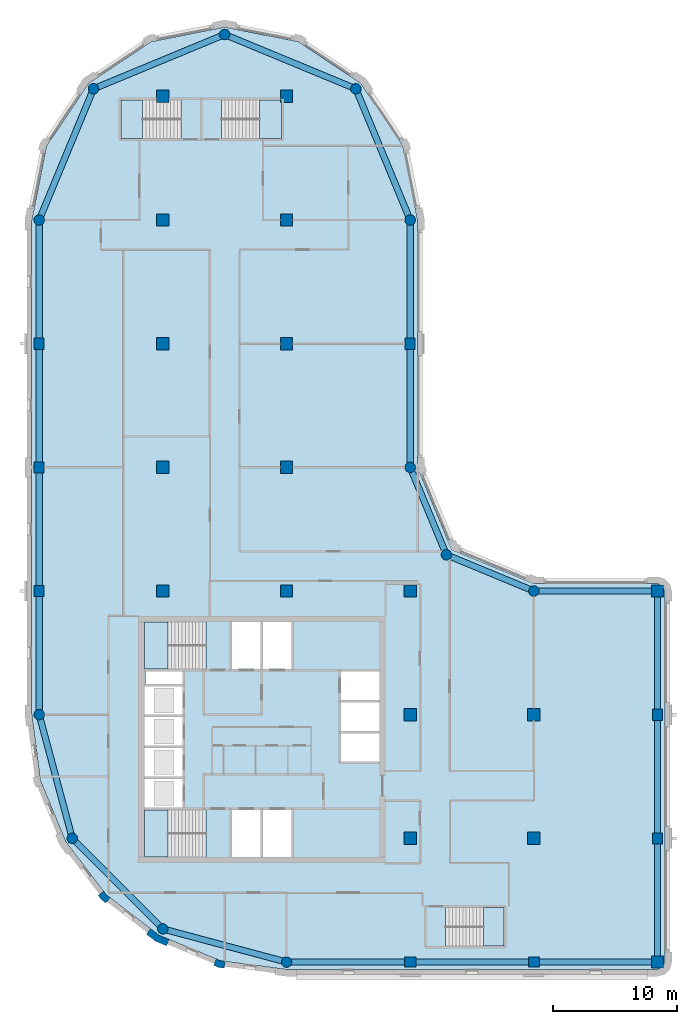
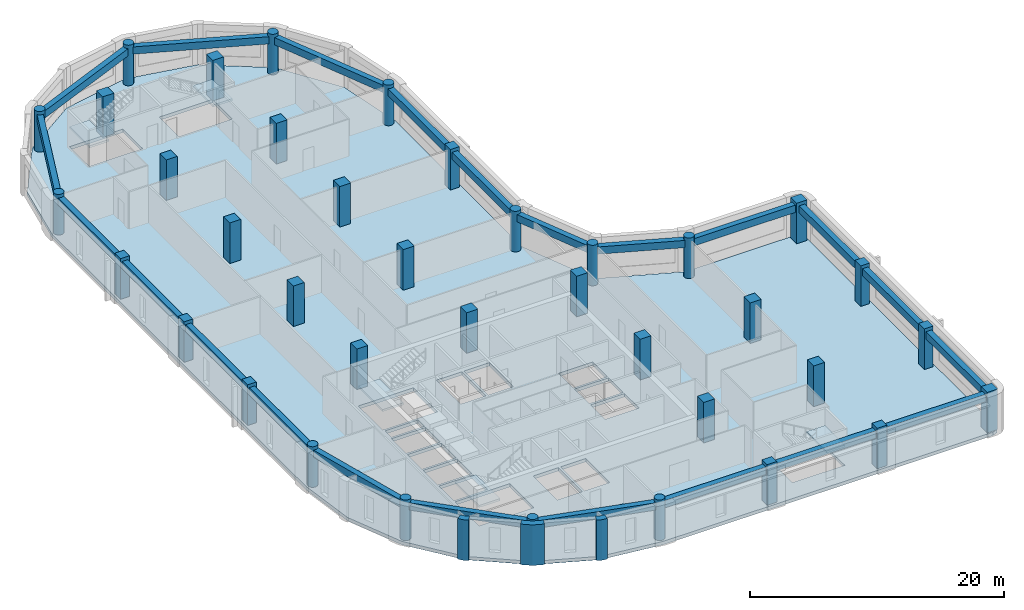
# One storey, part 1 of 9: 37 columns, 22 beams, 6 slabs, 3 walls, 5 elements without a shape of their own.
"""IFC4 building model written with IfcOpenShell, lengths in metres."""

from ifc_helpers import new_model, si_unit, direction, frame, origin, origin_2d, place, context, subcontext, project, spatial, polyline, rectangle, circle, outline, extrude, material, layer, layer_set, material_profile, profile_set, type_object, element, aggregate, save


model = new_model("IFC4")

# Units and contexts
model_context = context("Model", 3, precision=1e-05, world=origin(), true_north=direction((0.0, 1.0)))
body_context = subcontext(model_context, "Body", "Model", "MODEL_VIEW")
ifc_project = project(units=[si_unit("LENGTHUNIT", "METRE"), si_unit("AREAUNIT", "SQUARE_METRE"), si_unit("VOLUMEUNIT", "CUBIC_METRE"), si_unit("PLANEANGLEUNIT", "RADIAN"), si_unit("MASSUNIT", "GRAM", prefix="KILO")], contexts=[model_context])

# Site, building, storey
site_placement = place(None, origin())
site = spatial("IfcSite", under=ifc_project, at=site_placement, CompositionType="ELEMENT")
building_placement = place(site_placement, origin())
building = spatial("IfcBuilding", under=site, at=building_placement, Name="Qaws Garden Tower", CompositionType="ELEMENT")
storey_placement = place(building_placement, frame((0.0, 0.0, 267.0)))
storey = spatial("IfcBuildingStorey", under=building, at=storey_placement, Name="L64", CompositionType="ELEMENT", Elevation=267.0)

# Columns
ifc_material_1 = material(Name="Concrete C60", Category="concrete")
ifc_material_profile_1 = material_profile(ifc_material_1, rectangle(XDim=1.0, YDim=1.0, at=origin_2d()), Name="RC 1000x1000")
ifc_profile_set_1 = profile_set([ifc_material_profile_1], Name="Concrete C60")
column_type_1 = type_object("IfcColumnType", Name="Column RC 1000x1000 C60", PredefinedType="COLUMN", material=ifc_profile_set_1)
for number, where, z_axis, x_axis, name in (
    (1, (10.0, 30.0, 0.0), (0.0, 0.0, 1.0), (1.0, 0.0, 0.0), "Column L64-023"),
    (2, (10.0, 40.0, 0.0), (0.0, 0.0, 1.0), (1.0, 0.0, 0.0), "Column L64-024"),
    (3, (10.0, 50.0, 0.0), (0.0, 0.0, 1.0), (1.0, 0.0, 0.0), "Column L64-025"),
    (4, (10.0, 60.0, 0.0), (0.0, 0.0, 1.0), (1.0, 0.0, 0.0), "Column L64-026"),
    (5, (10.0, 70.0, 0.0), (0.0, 0.0, 1.0), (1.0, 0.0, 0.0), "Column L64-027"),
    (6, (20.0, 30.0, 0.0), (0.0, 0.0, 1.0), (1.0, 0.0, 0.0), "Column L64-028"),
    (7, (20.0, 40.0, 0.0), (0.0, 0.0, 1.0), (1.0, 0.0, 0.0), "Column L64-029"),
    (8, (20.0, 50.0, 0.0), (0.0, 0.0, 1.0), (1.0, 0.0, 0.0), "Column L64-030"),
    (9, (20.0, 60.0, 0.0), (0.0, 0.0, 1.0), (1.0, 0.0, 0.0), "Column L64-031"),
    (10, (20.0, 70.0, 0.0), (0.0, 0.0, 1.0), (1.0, 0.0, 0.0), "Column L64-032"),
    (11, (30.0, 10.0, 0.0), (0.0, 0.0, 1.0), (1.0, 0.0, 0.0), "Column L64-033"),
    (12, (30.0, 20.0, 0.0), (0.0, 0.0, 1.0), (1.0, 0.0, 0.0), "Column L64-034"),
    (13, (30.0, 30.0, 0.0), (0.0, 0.0, 1.0), (1.0, 0.0, 0.0), "Column L64-035"),
    (14, (40.0, 10.0, 0.0), (0.0, 0.0, 1.0), (1.0, 0.0, 0.0), "Column L64-036"),
    (15, (40.0, 20.0, 0.0), (0.0, 0.0, 1.0), (1.0, 0.0, 0.0), "Column L64-037"),
):
    element("IfcColumn", number, at=place(storey_placement, frame(where, z_axis=z_axis, x_axis=x_axis)), inside=storey, type_object=column_type_1, Name=name, PredefinedType="COLUMN", context=body_context, shape_type="SweptSolid", body=[
        extrude(rectangle(XDim=1.0, YDim=1.0, at=origin_2d()), origin(), (0.0, 0.0, 1.0), 3.89990234375),
    ])
ifc_material_2 = material(Name="Concrete C60", Category="concrete")
ifc_material_profile_2 = material_profile(ifc_material_2, rectangle(XDim=0.89990234375, YDim=0.800048828125, at=origin_2d()), Name="RC 900x800")
ifc_profile_set_2 = profile_set([ifc_material_profile_2], Name="Concrete C60")
column_type_2 = type_object("IfcColumnType", Name="Column RC 900x800 C60", PredefinedType="COLUMN", material=ifc_profile_set_2)
for number, where, z_axis, x_axis, name in (
    (16, (30.0, 0.0, 0.0), (0.0, 0.0, 1.0), (1.0, 0.0, 0.0), "Column L64-002"),
    (17, (40.0, 0.0, 0.0), (0.0, 0.0, 1.0), (1.0, 0.0, 0.0), "Column L64-003"),
    (18, (50.0, 10.0, 0.0), (0.0, 0.0, 1.0), (0.0, 1.0, 0.0), "Column L64-005"),
    (19, (50.0, 20.0, 0.0), (0.0, 0.0, 1.0), (0.0, 1.0, 0.0), "Column L64-006"),
    (20, (30.0, 50.0, 0.0), (0.0, 0.0, 1.0), (0.0, 1.0, 0.0), "Column L64-011"),
    (21, (0.0, 50.0, 0.0), (0.0, 0.0, 1.0), (0.0, 1.0, 0.0), "Column L64-017"),
    (22, (0.0, 40.0, 0.0), (0.0, 0.0, 1.0), (0.0, 1.0, 0.0), "Column L64-018"),
    (23, (0.0, 30.0, 0.0), (0.0, 0.0, 1.0), (0.0, 1.0, 0.0), "Column L64-019"),
):
    element("IfcColumn", number, at=place(storey_placement, frame(where, z_axis=z_axis, x_axis=x_axis)), inside=storey, type_object=column_type_2, Name=name, PredefinedType="COLUMN", context=body_context, shape_type="SweptSolid", body=[
        extrude(rectangle(XDim=0.89990234375, YDim=0.800048828125, at=origin_2d()), origin(), (0.0, 0.0, 1.0), 3.89990234375),
    ])
ifc_material_3 = material(Name="Concrete C60", Category="concrete")
ifc_material_profile_3 = material_profile(ifc_material_3, rectangle(XDim=0.949951171875, YDim=0.949951171875, at=origin_2d()), Name="RC 950x950")
ifc_profile_set_3 = profile_set([ifc_material_profile_3], Name="Concrete C60")
column_type_3 = type_object("IfcColumnType", Name="Column RC 950x950 C60", PredefinedType="COLUMN", material=ifc_profile_set_3)
for number, where, z_axis, x_axis, name in (
    (24, (50.0, 0.0, 0.0), (0.0, 0.0, 1.0), (1.0, 0.0, 0.0), "Column L64-004"),
    (25, (50.0, 30.0, 0.0), (0.0, 0.0, 1.0), (1.0, 0.0, 0.0), "Column L64-007"),
):
    element("IfcColumn", number, at=place(storey_placement, frame(where, z_axis=z_axis, x_axis=x_axis)), inside=storey, type_object=column_type_3, Name=name, PredefinedType="COLUMN", context=body_context, shape_type="SweptSolid", body=[
        extrude(rectangle(XDim=0.949951171875, YDim=0.949951171875, at=origin_2d()), origin(), (0.0, 0.0, 1.0), 3.89990234375),
    ])
ifc_material_4 = material(Name="Concrete C60", Category="concrete")
ifc_material_profile_4 = material_profile(ifc_material_4, circle(Radius=0.425048828125, at=origin_2d()), Name="RC D850")
ifc_profile_set_4 = profile_set([ifc_material_profile_4], Name="Concrete C60")
column_type_4 = type_object("IfcColumnType", Name="Column RC D850 C60", PredefinedType="COLUMN", material=ifc_profile_set_4)
for number, where, z_axis, x_axis, name in (
    (26, (20.0, 0.0, 0.0), (0.0, 0.0, 1.0), (1.0, 0.0, 0.0), "Column L64-001"),
    (27, (40.0, 30.0, 0.0), (0.0, 0.0, 1.0), (1.0, 0.0, 0.0), "Column L64-008"),
    (28, (32.928955078125, 32.928955078125, 0.0), (0.0, 0.0, 1.0), (1.0, 0.0, 0.0), "Column L64-009"),
    (29, (30.0, 40.0, 0.0), (0.0, 0.0, 1.0), (1.0, 0.0, 0.0), "Column L64-010"),
    (30, (30.0, 60.0, 0.0), (0.0, 0.0, 1.0), (1.0, 0.0, 0.0), "Column L64-012"),
    (31, (25.606689453125, 70.606689453125, 0.0), (0.0, 0.0, 1.0), (1.0, 0.0, 0.0), "Column L64-013"),
    (32, (15.0, 75.0, 0.0), (0.0, 0.0, 1.0), (1.0, 0.0, 0.0), "Column L64-014"),
    (33, (4.393310546875, 70.606689453125, 0.0), (0.0, 0.0, 1.0), (1.0, 0.0, 0.0), "Column L64-015"),
    (34, (0.0, 60.0, 0.0), (0.0, 0.0, 1.0), (1.0, 0.0, 0.0), "Column L64-016"),
    (35, (0.0, 20.0, 0.0), (0.0, 0.0, 1.0), (1.0, 0.0, 0.0), "Column L64-020"),
    (36, (2.679443359375, 10.0, 0.0), (0.0, 0.0, 1.0), (1.0, 0.0, 0.0), "Column L64-021"),
    (37, (10.0, 2.679443359375, 0.0), (0.0, 0.0, 1.0), (1.0, 0.0, 0.0), "Column L64-022"),
):
    element("IfcColumn", number, at=place(storey_placement, frame(where, z_axis=z_axis, x_axis=x_axis)), inside=storey, type_object=column_type_4, Name=name, PredefinedType="COLUMN", context=body_context, shape_type="SweptSolid", body=[
        extrude(circle(Radius=0.425048828125, at=origin_2d()), origin(), (0.0, 0.0, 1.0), 3.89990234375),
    ])

# Beams
ifc_material_5 = material(Name="Concrete C45", Category="concrete")
ifc_material_profile_5 = material_profile(ifc_material_5, rectangle(XDim=0.5, YDim=0.699951171875, at=origin_2d()), Name="RC 500x700")
ifc_profile_set_5 = profile_set([ifc_material_profile_5], Name="Concrete C45")
beam_type = type_object("IfcBeamType", Name="Spandrel beam RC 500x700 C45", PredefinedType="SPANDREL", material=ifc_profile_set_5)
for number, where, z_axis, x_axis, name in (
    (38, (20.0, 0.0, 3.22998046875), (1.0, 0.0, 0.0), (0.0, 1.0, 0.0), "Spandrel beam L64-001"),
    (39, (30.0, 0.0, 3.22998046875), (1.0, 0.0, 0.0), (0.0, 1.0, 0.0), "Spandrel beam L64-002"),
    (40, (40.0, 0.0, 3.22998046875), (1.0, 0.0, 0.0), (0.0, 1.0, 0.0), "Spandrel beam L64-003"),
    (41, (50.0, 0.0, 3.22998046875), (0.0, 1.0, 0.0), (-1.0, 0.0, 0.0), "Spandrel beam L64-004"),
    (42, (50.0, 10.0, 3.22998046875), (0.0, 1.0, 0.0), (-1.0, 0.0, 0.0), "Spandrel beam L64-005"),
    (43, (50.0, 20.0, 3.22998046875), (0.0, 1.0, 0.0), (-1.0, 0.0, 0.0), "Spandrel beam L64-006"),
    (44, (50.0, 30.0, 3.22998046875), (-1.0, 0.0, 0.0), (0.0, -1.0, 0.0), "Spandrel beam L64-007"),
):
    element("IfcBeam", number, at=place(storey_placement, frame(where, z_axis=z_axis, x_axis=x_axis)), inside=storey, type_object=beam_type, Name=name, PredefinedType="SPANDREL", context=body_context, shape_type="SweptSolid", body=[
        extrude(rectangle(XDim=0.5, YDim=0.699951171875, at=origin_2d()), origin(), (0.0, 0.0, 1.0), 10.0),
    ])
for number, where, z_axis, x_axis, name in (
    (45, (40.0, 30.0, 3.22998046875), (-0.923878037141, 0.382687042488, 0.0), (-0.382687042488, -0.923878037141, 0.0), "Spandrel beam L64-008"),
    (46, (32.928955078125, 32.928955078125, 3.22998046875), (-0.382687042488, 0.923878037141, 0.0), (-0.923878037141, -0.382687042488, 0.0), "Spandrel beam L64-009"),
):
    element("IfcBeam", number, at=place(storey_placement, frame(where, z_axis=z_axis, x_axis=x_axis)), inside=storey, type_object=beam_type, Name=name, PredefinedType="SPANDREL", context=body_context, shape_type="SweptSolid", body=[
        extrude(rectangle(XDim=0.5, YDim=0.699951171875, at=origin_2d()), origin(), (0.0, 0.0, 1.0), 7.653564453125),
    ])
for number, where, z_axis, x_axis, name in (
    (47, (30.0, 40.0, 3.22998046875), (0.0, 1.0, 0.0), (-1.0, 0.0, 0.0), "Spandrel beam L64-010"),
    (48, (30.0, 50.0, 3.22998046875), (0.0, 1.0, 0.0), (-1.0, 0.0, 0.0), "Spandrel beam L64-011"),
):
    element("IfcBeam", number, at=place(storey_placement, frame(where, z_axis=z_axis, x_axis=x_axis)), inside=storey, type_object=beam_type, Name=name, PredefinedType="SPANDREL", context=body_context, shape_type="SweptSolid", body=[
        extrude(rectangle(XDim=0.5, YDim=0.699951171875, at=origin_2d()), origin(), (0.0, 0.0, 1.0), 10.0),
    ])
for number, where, z_axis, x_axis, name in (
    (49, (30.0, 60.0, 3.22998046875), (-0.382674207535, 0.923883353507, 0.0), (-0.923883353507, -0.382674207535, 0.0), "Spandrel beam L64-012"),
    (50, (25.606689453125, 70.606689453125, 3.22998046875), (-0.923883353507, 0.382674207535, 0.0), (-0.382674207535, -0.923883353507, 0.0), "Spandrel beam L64-013"),
    (51, (15.0, 75.0, 3.22998046875), (-0.923883353507, -0.382674207535, 0.0), (0.382674207535, -0.923883353507, 0.0), "Spandrel beam L64-014"),
    (52, (4.393310546875, 70.606689453125, 3.22998046875), (-0.382674207535, -0.923883353507, 0.0), (0.923883353507, -0.382674207535, 0.0), "Spandrel beam L64-015"),
):
    element("IfcBeam", number, at=place(storey_placement, frame(where, z_axis=z_axis, x_axis=x_axis)), inside=storey, type_object=beam_type, Name=name, PredefinedType="SPANDREL", context=body_context, shape_type="SweptSolid", body=[
        extrude(rectangle(XDim=0.5, YDim=0.699951171875, at=origin_2d()), origin(), (0.0, 0.0, 1.0), 11.48046875),
    ])
for number, where, z_axis, x_axis, name in (
    (53, (0.0, 60.0, 3.22998046875), (0.0, -1.0, 0.0), (1.0, 0.0, 0.0), "Spandrel beam L64-016"),
    (54, (0.0, 50.0, 3.22998046875), (0.0, -1.0, 0.0), (1.0, 0.0, 0.0), "Spandrel beam L64-017"),
    (55, (0.0, 40.0, 3.22998046875), (0.0, -1.0, 0.0), (1.0, 0.0, 0.0), "Spandrel beam L64-018"),
    (56, (0.0, 30.0, 3.22998046875), (0.0, -1.0, 0.0), (1.0, 0.0, 0.0), "Spandrel beam L64-019"),
):
    element("IfcBeam", number, at=place(storey_placement, frame(where, z_axis=z_axis, x_axis=x_axis)), inside=storey, type_object=beam_type, Name=name, PredefinedType="SPANDREL", context=body_context, shape_type="SweptSolid", body=[
        extrude(rectangle(XDim=0.5, YDim=0.699951171875, at=origin_2d()), origin(), (0.0, 0.0, 1.0), 10.0),
    ])
for number, where, z_axis, x_axis, name in (
    (57, (0.0, 20.0, 3.22998046875), (0.25881466832, -0.965926999034, 0.0), (0.965926999034, 0.25881466832, 0.0), "Spandrel beam L64-020"),
    (58, (2.679443359375, 10.0, 3.22998046875), (0.707106781187, -0.707106781187, 0.0), (0.707106781187, 0.707106781187, 0.0), "Spandrel beam L64-021"),
    (59, (10.0, 2.679443359375, 3.22998046875), (0.965926999034, -0.25881466832, 0.0), (0.25881466832, 0.965926999034, 0.0), "Spandrel beam L64-022"),
):
    element("IfcBeam", number, at=place(storey_placement, frame(where, z_axis=z_axis, x_axis=x_axis)), inside=storey, type_object=beam_type, Name=name, PredefinedType="SPANDREL", context=body_context, shape_type="SweptSolid", body=[
        extrude(rectangle(XDim=0.5, YDim=0.699951171875, at=origin_2d()), origin(), (0.0, 0.0, 1.0), 10.352783203125),
    ])

# Slab
ifc_material_6 = material(Name="Concrete C40", Category="concrete")
ifc_layer_1 = layer(ifc_material_6, 0.320068359375)
ifc_layer_set_1 = layer_set([ifc_layer_1], Name="Concrete C40")
slab_type_1 = type_object("IfcSlabType", Name="Floor slab 320 C40", PredefinedType="FLOOR", material=ifc_layer_set_1)
slab_1_placement = place(storey_placement, frame((0.0, 0.0, -0.320068359375)))
element("IfcSlab", 60, at=slab_1_placement, inside=storey, type_object=slab_type_1, Name="Floor slab L64", PredefinedType="FLOOR", context=body_context, shape_type="SweptSolid", body=[
    extrude(outline(polyline([(0.101806640625, 14.668212890625), (-0.60009765625, 20.0), (-0.60009765625, 30.60009765625), (-0.60009765625, 60.0), (-0.60009765625, 60.0), (0.58740234375, 65.969970703125), (3.968994140625, 71.031005859375), (9.030029296875, 74.41259765625), (15.0, 75.60009765625), (20.969970703125, 74.41259765625), (26.031005859375, 71.031005859375), (29.41259765625, 65.969970703125), (30.60009765625, 60.0), (30.60009765625, 40.0), (33.353271484375, 33.353271484375), (40.0, 30.60009765625), (50.0, 30.60009765625), (50.42431640625, 30.42431640625), (50.60009765625, 30.0), (50.60009765625, 0.0), (50.42431640625, -0.42431640625), (50.0, -0.60009765625), (30.60009765625, -0.60009765625), (20.0, -0.60009765625), (14.668212890625, 0.101806640625), (9.699951171875, 2.159912109375), (5.43359375, 5.43359375), (2.159912109375, 9.699951171875), (0.101806640625, 14.668212890625)]), holes=[polyline([(13.49951171875, 12.300048828125), (8.5, 12.300048828125), (8.5, 8.5), (13.49951171875, 8.5), (13.49951171875, 12.300048828125)]), polyline([(17.89990234375, 12.300048828125), (15.60009765625, 12.300048828125), (15.60009765625, 8.5), (17.89990234375, 8.5), (17.89990234375, 12.300048828125)]), polyline([(11.60009765625, 14.800048828125), (8.5, 14.800048828125), (8.5, 12.5), (11.60009765625, 12.5), (11.60009765625, 14.800048828125)]), polyline([(11.60009765625, 17.300048828125), (8.5, 17.300048828125), (8.5, 15.0), (11.60009765625, 15.0), (11.60009765625, 17.300048828125)]), polyline([(11.60009765625, 19.800048828125), (8.5, 19.800048828125), (8.5, 17.5), (11.60009765625, 17.5), (11.60009765625, 19.800048828125)]), polyline([(11.60009765625, 22.300048828125), (8.5, 22.300048828125), (8.5, 20.0), (11.60009765625, 20.0), (11.60009765625, 22.300048828125)]), polyline([(11.60009765625, 23.5), (8.60009765625, 23.5), (8.60009765625, 22.5), (11.60009765625, 22.5), (11.60009765625, 23.5)]), polyline([(13.49951171875, 27.5), (8.5, 27.5), (8.5, 23.699951171875), (13.49951171875, 23.699951171875), (13.49951171875, 27.5)]), polyline([(11.449462890625, 69.699951171875), (6.60009765625, 69.699951171875), (6.60009765625, 66.60009765625), (11.449462890625, 66.60009765625), (11.449462890625, 69.699951171875)]), polyline([(37.60009765625, 4.39990234375), (32.8505859375, 4.39990234375), (32.8505859375, 1.300048828125), (37.60009765625, 1.300048828125), (37.60009765625, 4.39990234375)]), polyline([(20.39990234375, 12.300048828125), (18.10009765625, 12.300048828125), (18.10009765625, 8.5), (20.39990234375, 8.5), (20.39990234375, 12.300048828125)]), polyline([(27.5, 18.5), (24.39990234375, 18.5), (24.39990234375, 16.199951171875), (27.5, 16.199951171875), (27.5, 18.5)]), polyline([(27.5, 21.0), (24.39990234375, 21.0), (24.39990234375, 18.699951171875), (27.5, 18.699951171875), (27.5, 21.0)]), polyline([(27.5, 23.5), (24.39990234375, 23.5), (24.39990234375, 21.199951171875), (27.5, 21.199951171875), (27.5, 23.5)]), polyline([(17.89990234375, 27.5), (15.60009765625, 27.5), (15.60009765625, 23.699951171875), (17.89990234375, 23.699951171875), (17.89990234375, 27.5)]), polyline([(20.39990234375, 23.699951171875), (20.39990234375, 27.5), (18.10009765625, 27.5), (18.10009765625, 23.699951171875), (20.39990234375, 23.699951171875)]), polyline([(19.60009765625, 66.60009765625), (19.60009765625, 69.699951171875), (14.75048828125, 69.699951171875), (14.75048828125, 66.60009765625), (19.60009765625, 66.60009765625)])]), origin(), (0.0, 0.0, 1.0), 0.320068359375),
])

# Stair, slab
ifc_material_7 = material(Name="Concrete C40", Category="concrete")
stair_type_1 = type_object("IfcStairType", Name="Exit stair 1500", PredefinedType="HALF_TURN_STAIR", material=ifc_material_7)
placement_1 = place(storey_placement, origin())
stair_1 = element("IfcStair", 61, at=placement_1, inside=storey, type_object=stair_type_1, Name="Stair 1", PredefinedType="HALF_TURN_STAIR")
ifc_material_8 = material(Name="Concrete C40", Category="concrete")
ifc_layer_2 = layer(ifc_material_8, 0.199951171875)
ifc_layer_set_2 = layer_set([ifc_layer_2], Name="Concrete C40")
slab_type_2 = type_object("IfcSlabType", Name="Stair landing 200", PredefinedType="LANDING", material=ifc_layer_set_2)
placement_2 = place(storey_placement, frame((0.0, 0.0, 1.75)))
slab_2 = element("IfcSlab", 62, at=placement_2, type_object=slab_type_2, Name="ST1 landing 1", PredefinedType="LANDING", context=body_context, shape_type="SweptSolid", body=[
    extrude(outline(polyline([(8.5, 8.5), (10.419921875, 8.5), (10.419921875, 12.300048828125), (8.5, 12.300048828125), (8.5, 8.5)])), origin(), (0.0, 0.0, 1.0), 0.199951171875),
])
aggregate(stair_1, [slab_2])

stair_2 = element("IfcStair", 63, at=placement_1, inside=storey, type_object=stair_type_1, Name="Stair 4", PredefinedType="HALF_TURN_STAIR")
slab_3 = element("IfcSlab", 64, at=placement_2, type_object=slab_type_2, Name="ST4 landing 1", PredefinedType="LANDING", context=body_context, shape_type="SweptSolid", body=[
    extrude(outline(polyline([(8.5, 23.699951171875), (10.419921875, 23.699951171875), (10.419921875, 27.5), (8.5, 27.5), (8.5, 23.699951171875)])), origin(), (0.0, 0.0, 1.0), 0.199951171875),
])
aggregate(stair_2, [slab_3])

ifc_material_9 = material(Name="Concrete C40", Category="concrete")
stair_type_2 = type_object("IfcStairType", Name="Exit stair 1350", PredefinedType="HALF_TURN_STAIR", material=ifc_material_9)
stair_3 = element("IfcStair", 65, at=placement_1, inside=storey, type_object=stair_type_2, Name="Stair 5", PredefinedType="HALF_TURN_STAIR")
slab_4 = element("IfcSlab", 66, at=placement_2, type_object=slab_type_2, Name="ST5 landing 1", PredefinedType="LANDING", context=body_context, shape_type="SweptSolid", body=[
    extrude(outline(polyline([(35.929931640625, 1.300048828125), (37.60009765625, 1.300048828125), (37.60009765625, 4.39990234375), (35.929931640625, 4.39990234375), (35.929931640625, 1.300048828125)])), origin(), (0.0, 0.0, 1.0), 0.199951171875),
])
aggregate(stair_3, [slab_4])

stair_4 = element("IfcStair", 67, at=placement_1, inside=storey, type_object=stair_type_2, Name="Stair 6", PredefinedType="HALF_TURN_STAIR")
slab_5 = element("IfcSlab", 68, at=placement_2, type_object=slab_type_2, Name="ST6 landing 1", PredefinedType="LANDING", context=body_context, shape_type="SweptSolid", body=[
    extrude(outline(polyline([(6.60009765625, 66.60009765625), (8.3701171875, 66.60009765625), (8.3701171875, 69.699951171875), (6.60009765625, 69.699951171875), (6.60009765625, 66.60009765625)])), origin(), (0.0, 0.0, 1.0), 0.199951171875),
])
aggregate(stair_4, [slab_5])

stair_5 = element("IfcStair", 69, at=placement_1, inside=storey, type_object=stair_type_2, Name="Stair 7", PredefinedType="HALF_TURN_STAIR")
slab_6 = element("IfcSlab", 70, at=placement_2, type_object=slab_type_2, Name="ST7 landing 1", PredefinedType="LANDING", context=body_context, shape_type="SweptSolid", body=[
    extrude(outline(polyline([(17.830078125, 66.60009765625), (19.60009765625, 66.60009765625), (19.60009765625, 69.699951171875), (17.830078125, 69.699951171875), (17.830078125, 66.60009765625)])), origin(), (0.0, 0.0, 1.0), 0.199951171875),
])
aggregate(stair_5, [slab_6])

# Walls
ifc_material_10 = material(Name="Clay facing brick masonry", Category="masonry")
ifc_layer_3 = layer(ifc_material_10, 0.550048828125)
ifc_layer_set_3 = layer_set([ifc_layer_3], Name="Clay facing brick masonry")
wall_type_1 = type_object("IfcWallType", Name="Brick kink pier 550 x 600", PredefinedType="SOLIDWALL", material=ifc_layer_set_3)
element("IfcWall", 71, at=placement_1, inside=storey, type_object=wall_type_1, Name="E-L64-pier-26", PredefinedType="SOLIDWALL", context=body_context, shape_type="SweptSolid", body=[
    extrude(outline(polyline([(4.8818359375, 5.487060546875), (4.762939453125, 5.395751953125), (5.03759765625, 5.03759765625), (5.395751953125, 4.762939453125), (5.487060546875, 4.8818359375), (5.730712890625, 5.19921875), (5.429931640625, 5.429931640625), (5.19921875, 5.730712890625), (4.8818359375, 5.487060546875)])), origin(), (0.0, 0.0, 1.0), 3.89990234375),
])
element("IfcWall", 72, at=placement_1, inside=storey, type_object=wall_type_1, Name="E-L64-pier-28", PredefinedType="SOLIDWALL", context=body_context, shape_type="SweptSolid", body=[
    extrude(outline(polyline([(14.163818359375, -0.127685546875), (14.1064453125, -0.26611328125), (14.5234375, -0.43896484375), (14.970947265625, -0.497802734375), (14.990478515625, -0.34912109375), (15.042724609375, 0.04736328125), (14.6669921875, 0.096923828125), (14.31689453125, 0.241943359375), (14.163818359375, -0.127685546875)])), origin(), (0.0, 0.0, 1.0), 3.89990234375),
])
ifc_material_11 = material(Name="Clay facing brick masonry", Category="masonry")
ifc_layer_4 = layer(ifc_material_11, 0.550048828125)
ifc_layer_set_4 = layer_set([ifc_layer_4], Name="Clay facing brick masonry")
wall_type_2 = type_object("IfcWallType", Name="Brick pier 550 x 1600", PredefinedType="SOLIDWALL", material=ifc_layer_set_4)
element("IfcWall", 73, at=placement_1, inside=storey, type_object=wall_type_2, Name="E-L64-pier-27", PredefinedType="SOLIDWALL", context=body_context, shape_type="SweptSolid", body=[
    extrude(outline(polyline([(8.756591796875, 2.373046875), (8.665283203125, 2.254150390625), (9.419921875, 1.675048828125), (10.299072265625, 1.310791015625), (10.3564453125, 1.449462890625), (10.509521484375, 1.819091796875), (9.697509765625, 2.1552734375), (9.0, 2.6904296875), (8.756591796875, 2.373046875)])), origin(), (0.0, 0.0, 1.0), 3.89990234375),
])

save(model, "model.ifc")
